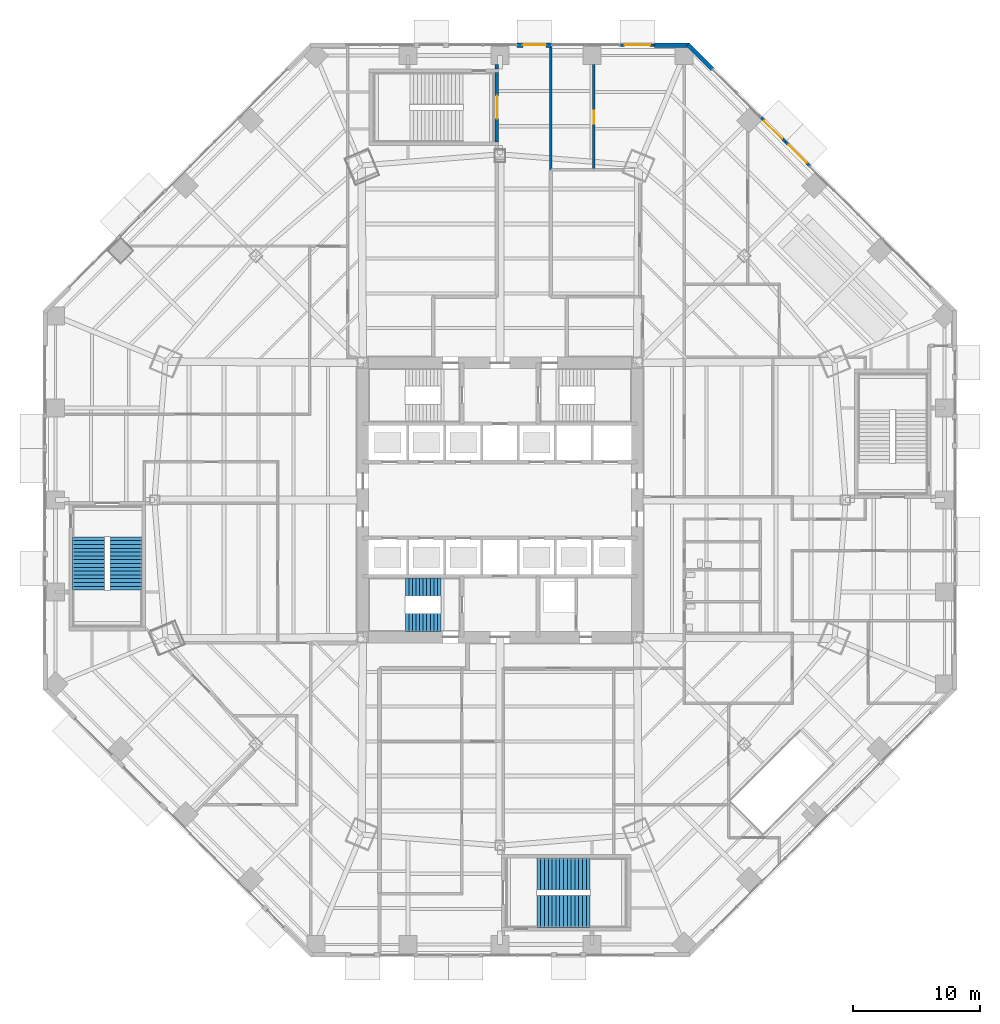
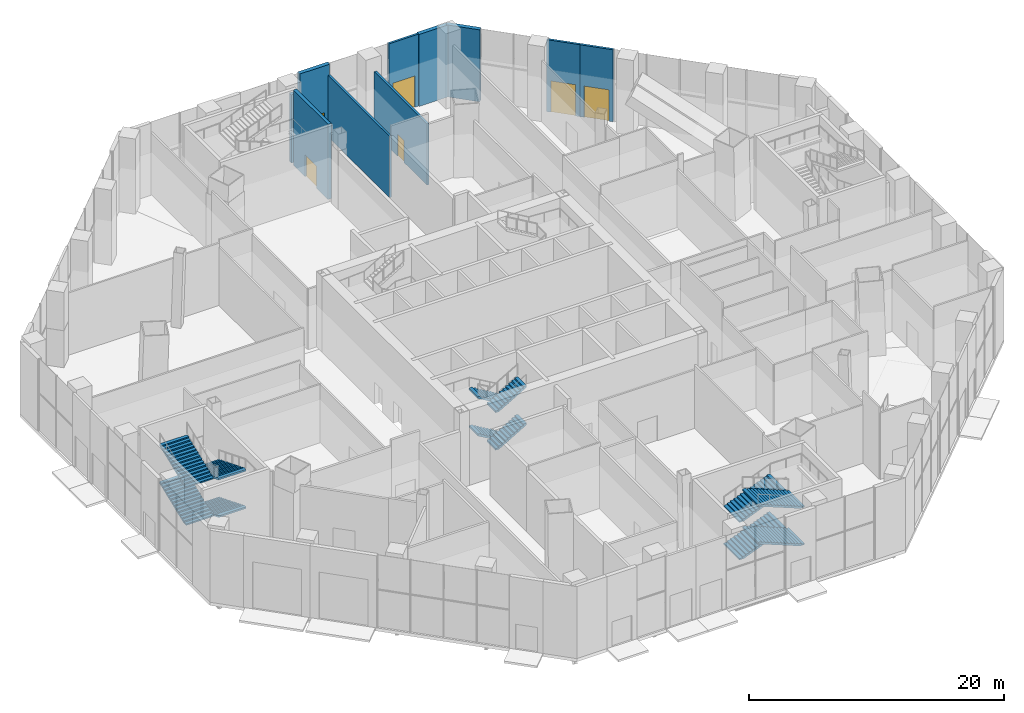
# One storey, part 26 of 35: 12 stair flights, 10 walls, 6 doors, 6 openings, 3 elements without a shape of their own.
"""IFC4 building model written with IfcOpenShell, lengths in metres."""

from ifc_helpers import new_model, si_unit, direction, frame, frame_2d, origin, place, context, subcontext, project, spatial, polyline, rectangle, outline, extrude, material, layer, layer_set, type_object, element, fill, aggregate, save


model = new_model("IFC4")

# Units and contexts
model_context = context("Model", 3, precision=1e-05, world=origin(), true_north=direction((0.0, 1.0)))
body_context = subcontext(model_context, "Body", "Model", "MODEL_VIEW")
ifc_project = project(units=[si_unit("LENGTHUNIT", "METRE"), si_unit("AREAUNIT", "SQUARE_METRE"), si_unit("VOLUMEUNIT", "CUBIC_METRE"), si_unit("PLANEANGLEUNIT", "RADIAN"), si_unit("MASSUNIT", "GRAM", prefix="KILO")], contexts=[model_context])

# Site, building, storey
site_placement = place(None, origin())
site = spatial("IfcSite", under=ifc_project, at=site_placement, CompositionType="ELEMENT")
building_placement = place(site_placement, origin())
building = spatial("IfcBuilding", under=site, at=building_placement, Name="Mashrafa Tower", CompositionType="ELEMENT")
storey_placement = place(building_placement, origin())
storey = spatial("IfcBuildingStorey", under=building, at=storey_placement, Name="L00", CompositionType="ELEMENT", Elevation=0.0)

# Wall
ifc_material_1 = material(Name="Concrete masonry unit", Category="masonry")
ifc_layer_1 = layer(ifc_material_1, 0.199951171875)
ifc_layer_set_1 = layer_set([ifc_layer_1], Name="Fire barrier wall 200 1 hr")
wall_type_1 = type_object("IfcWallType", Name="Fire barrier wall 200 1 hr", PredefinedType="PARTITIONING", material=ifc_layer_set_1)
wall_1_placement = place(storey_placement, frame((4.0, 25.9990234375, 0.0), z_axis=(0.0, 0.0, 1.0), x_axis=(0.0, 1.0, 0.0)))
element("IfcWall", 1, at=wall_1_placement, inside=storey, type_object=wall_type_1, Name="Fire wall L00-002", PredefinedType="PARTITIONING", context=body_context, shape_type="SweptSolid", body=[
    extrude(rectangle(XDim=9.65087890625, YDim=0.199951171875, at=frame_2d((4.825439453125, 0.0))), origin(), (0.0, 0.0, 1.0), 5.879150390625),
])

# Wall, opening, door
wall_2_placement = place(storey_placement, frame((7.39990234375, 26.0, 0.0), z_axis=(0.0, 0.0, 1.0), x_axis=(0.0, 1.0, 0.0)))
wall_2 = element("IfcWall", 2, at=wall_2_placement, inside=storey, type_object=wall_type_1, Name="Fire wall L00-039", PredefinedType="PARTITIONING", context=body_context, shape_type="SweptSolid", body=[
    extrude(rectangle(XDim=8.281005859375, YDim=0.199951171875, at=frame_2d((4.140625, 0.0))), origin(), (0.0, 0.0, 1.0), 5.879150390625),
])
opening_1_placement = place(wall_2_placement, frame((3.640380859375, 0.0, 0.0)))
opening_1 = element("IfcOpeningElement", 3, at=opening_1_placement, cuts=wall_2, Name="Opening 00.005", PredefinedType="OPENING", context=body_context, shape_type="SweptSolid", body=[
    extrude(rectangle(XDim=1.0, YDim=2.10009765625, at=frame_2d((0.5, 1.050048828125))), frame((0.0, 0.10986328125, 0.0), z_axis=(0.0, -1.0, 0.0), x_axis=(1.0, 0.0, 0.0)), (0.0, 0.0, 1.0), 0.219970703125),
])
ifc_material_2 = material(Name="Steel door", Category="steel")
door_type_1 = type_object("IfcDoorType", Name="Door 1000 x 2100 90 min", OperationType="USERDEFINED", PredefinedType="DOOR", material=ifc_material_2)
door_1_placement = place(opening_1_placement, origin())
door_1 = element("IfcDoor", 4, at=door_1_placement, inside=storey, type_object=door_type_1, Name="Fire Command Centre door", OperationType="SINGLE_SWING_LEFT", OverallHeight=2.10009765625, OverallWidth=1.0, PredefinedType="DOOR", context=body_context, shape_type="SweptSolid", body=[
    extrude(rectangle(XDim=1.0, YDim=2.10009765625, at=frame_2d((0.5, 1.050048828125))), frame((0.0, 0.02490234375, 0.0), z_axis=(0.0, -1.0, 0.0), x_axis=(1.0, 0.0, 0.0)), (0.0, 0.0, 1.0), 0.050048828125),
])
fill(opening_1, door_1)

ifc_material_3 = material(Name="Bronze-framed glazed screen")
ifc_layer_2 = layer(ifc_material_3, 0.199951171875)
ifc_layer_set_2 = layer_set([ifc_layer_2], Name="Glazed door screen 200")
wall_type_2 = type_object("IfcWallType", Name="Glazed door screen 200", PredefinedType="SOLIDWALL", material=ifc_layer_set_2)
wall_3_placement = place(storey_placement, frame((24.376220703125, 26.2880859375, 0.0), z_axis=(0.0, 0.0, 1.0), x_axis=(-0.707151930551, 0.707061628939, 0.0)))
wall_3 = element("IfcWall", 5, at=wall_3_placement, inside=storey, type_object=wall_type_2, Name="Glazed entrance screen L00 north-east bay 7", PredefinedType="SOLIDWALL", context=body_context, shape_type="SweptSolid", body=[
    extrude(rectangle(XDim=2.70361328125, YDim=0.199951171875, at=frame_2d((1.351806640625, 0.0))), origin(), (0.0, 0.0, 1.0), 6.89990234375),
])
opening_2_placement = place(wall_3_placement, frame((0.351806640625, 0.0, 0.0)))
opening_2 = element("IfcOpeningElement", 6, at=opening_2_placement, cuts=wall_3, Name="Opening ED1", PredefinedType="OPENING", context=body_context, shape_type="SweptSolid", body=[
    extrude(rectangle(XDim=2.0, YDim=3.0, at=frame_2d((1.0, 1.5))), frame((0.0, 0.10986328125, 0.0), z_axis=(0.0, -1.0, 0.0), x_axis=(1.0, 0.0, 0.0)), (0.0, 0.0, 1.0), 0.219970703125),
])
ifc_material_4 = material(Name="Bronze-framed glazed entrance door")
door_type_2 = type_object("IfcDoorType", Name="Entrance door pair 2000 x 3000", OperationType="DOUBLE_DOOR_SINGLE_SWING", PredefinedType="DOOR", material=ifc_material_4)
door_2_placement = place(opening_2_placement, origin())
door_2 = element("IfcDoor", 7, at=door_2_placement, inside=storey, type_object=door_type_2, Name="Exhibition entrance north-east", OperationType="SINGLE_SWING_LEFT", OverallHeight=3.0, OverallWidth=2.0, PredefinedType="DOOR", context=body_context, shape_type="SweptSolid", body=[
    extrude(rectangle(XDim=2.0, YDim=3.0, at=frame_2d((1.0, 1.5))), frame((0.0, 0.02490234375, 0.0), z_axis=(0.0, -1.0, 0.0), x_axis=(1.0, 0.0, 0.0)), (0.0, 0.0, 1.0), 0.050048828125),
])
fill(opening_2, door_2)

wall_4_placement = place(storey_placement, frame((22.46435546875, 28.19970703125, 0.0), z_axis=(0.0, 0.0, 1.0), x_axis=(-0.707061628939, 0.707151930551, 0.0)))
wall_4 = element("IfcWall", 8, at=wall_4_placement, inside=storey, type_object=wall_type_2, Name="Glazed entrance screen L00 north-east bay 8", PredefinedType="SOLIDWALL", context=body_context, shape_type="SweptSolid", body=[
    extrude(rectangle(XDim=2.70361328125, YDim=0.199951171875, at=frame_2d((1.351806640625, 0.0))), origin(), (0.0, 0.0, 1.0), 6.89990234375),
])
opening_3_placement = place(wall_4_placement, frame((0.351806640625, 0.0, 0.0)))
opening_3 = element("IfcOpeningElement", 9, at=opening_3_placement, cuts=wall_4, Name="Opening ED1", PredefinedType="OPENING", context=body_context, shape_type="SweptSolid", body=[
    extrude(rectangle(XDim=2.0, YDim=3.0, at=frame_2d((1.0, 1.5))), frame((0.0, 0.10986328125, 0.0), z_axis=(0.0, -1.0, 0.0), x_axis=(1.0, 0.0, 0.0)), (0.0, 0.0, 1.0), 0.219970703125),
])
door_3_placement = place(opening_3_placement, origin())
door_3 = element("IfcDoor", 10, at=door_3_placement, inside=storey, type_object=door_type_2, Name="Exhibition entrance north-east", OperationType="SINGLE_SWING_LEFT", OverallHeight=3.0, OverallWidth=2.0, PredefinedType="DOOR", context=body_context, shape_type="SweptSolid", body=[
    extrude(rectangle(XDim=2.0, YDim=3.0, at=frame_2d((1.0, 1.5))), frame((0.0, 0.02490234375, 0.0), z_axis=(0.0, -1.0, 0.0), x_axis=(1.0, 0.0, 0.0)), (0.0, 0.0, 1.0), 0.050048828125),
])
fill(opening_3, door_3)

wall_5_placement = place(storey_placement, frame((12.16650390625, 35.824951171875, 0.0), z_axis=(0.0, 0.0, 1.0), x_axis=(-1.0, 0.0, 0.0)))
wall_5 = element("IfcWall", 11, at=wall_5_placement, inside=storey, type_object=wall_type_2, Name="Glazed entrance screen L00 north bay 2", PredefinedType="SOLIDWALL", context=body_context, shape_type="SweptSolid", body=[
    extrude(rectangle(XDim=2.70361328125, YDim=0.199951171875, at=frame_2d((1.351806640625, 0.0))), origin(), (0.0, 0.0, 1.0), 6.89990234375),
])
opening_4_placement = place(wall_5_placement, frame((0.351806640625, 0.0, 0.0)))
opening_4 = element("IfcOpeningElement", 12, at=opening_4_placement, cuts=wall_5, Name="Opening ED1", PredefinedType="OPENING", context=body_context, shape_type="SweptSolid", body=[
    extrude(rectangle(XDim=2.0, YDim=3.0, at=frame_2d((1.0, 1.5))), frame((0.0, 0.10986328125, 0.0), z_axis=(0.0, -1.0, 0.0), x_axis=(1.0, 0.0, 0.0)), (0.0, 0.0, 1.0), 0.219970703125),
])
door_4_placement = place(opening_4_placement, origin())
door_4 = element("IfcDoor", 13, at=door_4_placement, inside=storey, type_object=door_type_2, Name="Office lobby entrance north", OperationType="SINGLE_SWING_LEFT", OverallHeight=3.0, OverallWidth=2.0, PredefinedType="DOOR", context=body_context, shape_type="SweptSolid", body=[
    extrude(rectangle(XDim=2.0, YDim=3.0, at=frame_2d((1.0, 1.5))), frame((0.0, 0.02490234375, 0.0), z_axis=(0.0, -1.0, 0.0), x_axis=(1.0, 0.0, 0.0)), (0.0, 0.0, 1.0), 0.050048828125),
])
fill(opening_4, door_4)

# Walls
ifc_material_5 = material(Name="Riyadh limestone cladding on blockwork", Category="masonry")
ifc_layer_3 = layer(ifc_material_5, 0.35009765625)
ifc_layer_set_3 = layer_set([ifc_layer_3], Name="Limestone-clad external wall 350")
wall_type_3 = type_object("IfcWallType", Name="Limestone-clad external wall 350", PredefinedType="SOLIDWALL", material=ifc_layer_set_3)
for number, where, z_axis, x_axis, name in (
    (14, (16.72900390625, 33.93505859375, 0.0), (0.0, 0.0, 1.0), (-0.707106781187, 0.707106781187, 0.0), "Limestone corner pier L00 north-east bay 11"),
    (15, (14.91162109375, 35.824951171875, 0.0), (0.0, 0.0, 1.0), (-1.0, 0.0, 0.0), "Limestone corner pier L00 north bay 1"),
):
    element("IfcWall", number, at=place(storey_placement, frame(where, z_axis=z_axis, x_axis=x_axis)), inside=storey, type_object=wall_type_3, Name=name, PredefinedType="SOLIDWALL", context=body_context, shape_type="SweptSolid", body=[
        extrude(rectangle(XDim=2.7451171875, YDim=0.35009765625, at=frame_2d((1.37255859375, 0.0))), origin(), (0.0, 0.0, 1.0), 6.89990234375),
    ])

# Wall, opening, door
wall_6_placement = place(storey_placement, frame((4.055419921875, 35.824951171875, 0.0), z_axis=(0.0, 0.0, 1.0), x_axis=(-1.0, 0.0, 0.0)))
wall_6 = element("IfcWall", 16, at=wall_6_placement, inside=storey, type_object=wall_type_3, Name="Limestone door bay L00 north bay 5", PredefinedType="SOLIDWALL", context=body_context, shape_type="SweptSolid", body=[
    extrude(rectangle(XDim=2.70361328125, YDim=0.35009765625, at=frame_2d((1.351806640625, 0.0))), origin(), (0.0, 0.0, 1.0), 6.89990234375),
])
opening_5_placement = place(wall_6_placement, frame((0.451904296875, 0.0, 0.0)))
opening_5 = element("IfcOpeningElement", 17, at=opening_5_placement, cuts=wall_6, Name="Opening ED2", PredefinedType="OPENING", context=body_context, shape_type="SweptSolid", body=[
    extrude(rectangle(XDim=1.800048828125, YDim=2.39990234375, at=frame_2d((0.89990234375, 1.199951171875))), frame((0.0, 0.18505859375, 0.0), z_axis=(0.0, -1.0, 0.0), x_axis=(1.0, 0.0, 0.0)), (0.0, 0.0, 1.0), 0.3701171875),
])
ifc_material_6 = material(Name="Steel exit door", Category="steel")
door_type_3 = type_object("IfcDoorType", Name="Exit discharge door pair 1800 x 2400", OperationType="DOUBLE_DOOR_SINGLE_SWING", PredefinedType="DOOR", material=ifc_material_6)
door_5_placement = place(opening_5_placement, frame((1.800048828125, 0.0, 0.0), z_axis=(0.0, 0.0, 1.0), x_axis=(-1.0, 0.0, 0.0)))
door_5 = element("IfcDoor", 18, at=door_5_placement, inside=storey, type_object=door_type_3, Name="Stairs S1 and S2 exit discharge north", OperationType="DOUBLE_DOOR_SINGLE_SWING", OverallHeight=2.39990234375, OverallWidth=1.800048828125, PredefinedType="DOOR", context=body_context, shape_type="SweptSolid", body=[
    extrude(rectangle(XDim=1.800048828125, YDim=2.39990234375, at=frame_2d((0.89990234375, 1.199951171875))), frame((0.0, 0.02490234375, 0.0), z_axis=(0.0, -1.0, 0.0), x_axis=(1.0, 0.0, 0.0)), (0.0, 0.0, 1.0), 0.050048828125),
])
fill(opening_5, door_5)

ifc_material_7 = material(Name="Concrete C35/45", Category="concrete")
ifc_layer_4 = layer(ifc_material_7, 0.300048828125)
ifc_layer_set_4 = layer_set([ifc_layer_4], Name="Stair core wall 300 3 hr")
wall_type_4 = type_object("IfcWallType", Name="Stair core wall 300 3 hr", PredefinedType="SOLIDWALL", material=ifc_layer_set_4)
wall_7_placement = place(storey_placement, frame((-0.25, 28.199951171875, 0.0), z_axis=(0.0, 0.0, 1.0), x_axis=(0.0, 1.0, 0.0)))
wall_7 = element("IfcWall", 19, at=wall_7_placement, inside=storey, type_object=wall_type_4, Name="Stair P2 core wall E L00", PredefinedType="SOLIDWALL", context=body_context, shape_type="SweptSolid", body=[
    extrude(rectangle(XDim=5.449951171875, YDim=0.300048828125, at=frame_2d((2.72509765625, 0.0))), origin(), (0.0, 0.0, 1.0), 7.199951171875),
])
opening_6_placement = place(wall_7_placement, frame((1.824951171875, 0.0, 0.0)))
opening_6 = element("IfcOpeningElement", 20, at=opening_6_placement, cuts=wall_7, Name="Opening 00.047", PredefinedType="OPENING", context=body_context, shape_type="SweptSolid", body=[
    extrude(rectangle(XDim=1.800048828125, YDim=2.10009765625, at=frame_2d((0.89990234375, 1.050048828125))), frame((0.0, 0.159912109375, 0.0), z_axis=(0.0, -1.0, 0.0), x_axis=(1.0, 0.0, 0.0)), (0.0, 0.0, 1.0), 0.320068359375),
])
ifc_material_8 = material(Name="Steel door", Category="steel")
door_type_4 = type_object("IfcDoorType", Name="Stair door pair 1800 x 2100 90 min", OperationType="DOUBLE_DOOR_SINGLE_SWING", PredefinedType="DOOR", material=ifc_material_8)
door_6_placement = place(opening_6_placement, origin())
door_6 = element("IfcDoor", 21, at=door_6_placement, inside=storey, type_object=door_type_4, Name="Stair P2 door L00", OperationType="DOUBLE_DOOR_SINGLE_SWING", OverallHeight=2.10009765625, OverallWidth=1.800048828125, PredefinedType="DOOR", context=body_context, shape_type="SweptSolid", body=[
    extrude(rectangle(XDim=1.800048828125, YDim=2.10009765625, at=frame_2d((0.89990234375, 1.050048828125))), frame((0.0, 0.02490234375, 0.0), z_axis=(0.0, -1.0, 0.0), x_axis=(1.0, 0.0, 0.0)), (0.0, 0.0, 1.0), 0.050048828125),
])
fill(opening_6, door_6)

# Wall
ifc_material_9 = material(Name="Concrete masonry unit", Category="masonry")
ifc_layer_5 = layer(ifc_material_9, 0.300048828125)
ifc_layer_set_5 = layer_set([ifc_layer_5], Name="Stair enclosure wall 300 2 hr")
wall_type_5 = type_object("IfcWallType", Name="Stair enclosure wall 300 2 hr", PredefinedType="PARTITIONING", material=ifc_layer_set_5)
wall_8_placement = place(storey_placement, frame((-0.25, 34.281005859375, 0.0), z_axis=(0.0, 0.0, 1.0), x_axis=(0.0, -1.0, 0.0)))
element("IfcWall", 22, at=wall_8_placement, inside=storey, type_object=wall_type_5, Name="Stair wall L00-001", PredefinedType="PARTITIONING", context=body_context, shape_type="SweptSolid", body=[
    extrude(rectangle(XDim=0.33154296875, YDim=0.300048828125, at=frame_2d((0.165771484375, 0.0))), origin(), (0.0, 0.0, 1.0), 6.534423828125),
])

# Stair, stair flights
ifc_material_10 = material(Name="Exit stair 1400")
stair_type_1 = type_object("IfcStairType", Name="Exit stair 1400", PredefinedType="HALF_TURN_STAIR", material=ifc_material_10)
stair_1_placement = place(storey_placement, origin())
stair_1 = element("IfcStair", 23, at=stair_1_placement, inside=storey, type_object=stair_type_1, Name="Stair S3 L00", PredefinedType="HALF_TURN_STAIR")
ifc_material_11 = material(Name="Concrete C32/40", Category="concrete")
stair_flight_type_1 = type_object("IfcStairFlightType", Name="Stair flight 1400", PredefinedType="STRAIGHT", material=ifc_material_11)
stair_flight_1_placement = place(storey_placement, frame((-4.64990234375, -6.85009765625, 0.0), z_axis=(0.0, 0.0, 1.0), x_axis=(-1.0, 0.0, 0.0)))
stair_flight_1 = element("IfcStairFlight", 24, at=stair_flight_1_placement, type_object=stair_flight_type_1, Name="S3 flight 1", NumberOfRisers=11, NumberOfTreads=10, PredefinedType="STRAIGHT", RiserHeight=0.163636364, TreadLength=0.28, context=body_context, shape_type="SweptSolid", body=[
    extrude(outline(polyline([(0.0, 0.0), (0.0, 0.16357421875), (0.280029296875, 0.16357421875), (0.280029296875, 0.327392578125), (0.56005859375, 0.327392578125), (0.56005859375, 0.490966796875), (0.840087890625, 0.490966796875), (0.840087890625, 0.654541015625), (1.1201171875, 0.654541015625), (1.1201171875, 0.818115234375), (1.39990234375, 0.818115234375), (1.39990234375, 0.98193359375), (1.679931640625, 0.98193359375), (1.679931640625, 1.1455078125), (1.9599609375, 1.1455078125), (1.9599609375, 1.30908203125), (2.239990234375, 1.30908203125), (2.239990234375, 1.47265625), (2.52001953125, 1.47265625), (2.52001953125, 1.636474609375), (2.800048828125, 1.636474609375), (2.800048828125, 1.800048828125), (2.800048828125, 1.462646484375), (0.297119140625, 0.0), (0.0, 0.0)])), frame((0.0, 0.699951171875, 0.0), z_axis=(0.0, -1.0, 0.0), x_axis=(1.0, 0.0, 0.0)), (0.0, 0.0, 1.0), 1.39990234375),
])
stair_flight_2_placement = place(storey_placement, frame((-7.449951171875, -9.64990234375, 1.800048828125), z_axis=(0.0, 0.0, 1.0), x_axis=(1.0, 0.0, 0.0)))
stair_flight_2 = element("IfcStairFlight", 25, at=stair_flight_2_placement, type_object=stair_flight_type_1, Name="S3 flight 2", NumberOfRisers=11, NumberOfTreads=10, PredefinedType="STRAIGHT", RiserHeight=0.163636364, TreadLength=0.28, context=body_context, shape_type="SweptSolid", body=[
    extrude(outline(polyline([(0.0, 0.0), (0.0, 0.16357421875), (0.280029296875, 0.16357421875), (0.280029296875, 0.327392578125), (0.56005859375, 0.327392578125), (0.56005859375, 0.490966796875), (0.840087890625, 0.490966796875), (0.840087890625, 0.654541015625), (1.1201171875, 0.654541015625), (1.1201171875, 0.818115234375), (1.39990234375, 0.818115234375), (1.39990234375, 0.98193359375), (1.679931640625, 0.98193359375), (1.679931640625, 1.1455078125), (1.9599609375, 1.1455078125), (1.9599609375, 1.30908203125), (2.239990234375, 1.30908203125), (2.239990234375, 1.47265625), (2.52001953125, 1.47265625), (2.52001953125, 1.636474609375), (2.800048828125, 1.636474609375), (2.800048828125, 1.800048828125), (2.800048828125, 1.462646484375), (0.297119140625, 0.0), (0.0, 0.0)])), frame((0.0, 0.699951171875, 0.0), z_axis=(0.0, -1.0, 0.0), x_axis=(1.0, 0.0, 0.0)), (0.0, 0.0, 1.0), 1.39990234375),
])
stair_flight_3_placement = place(storey_placement, frame((-4.64990234375, -6.85009765625, 3.60009765625), z_axis=(0.0, 0.0, 1.0), x_axis=(-1.0, 0.0, 0.0)))
stair_flight_3 = element("IfcStairFlight", 26, at=stair_flight_3_placement, type_object=stair_flight_type_1, Name="S3 flight 3", NumberOfRisers=11, NumberOfTreads=10, PredefinedType="STRAIGHT", RiserHeight=0.163636364, TreadLength=0.28, context=body_context, shape_type="SweptSolid", body=[
    extrude(outline(polyline([(0.0, 0.0), (0.0, 0.16357421875), (0.280029296875, 0.16357421875), (0.280029296875, 0.327392578125), (0.56005859375, 0.327392578125), (0.56005859375, 0.490966796875), (0.840087890625, 0.490966796875), (0.840087890625, 0.654541015625), (1.1201171875, 0.654541015625), (1.1201171875, 0.818115234375), (1.39990234375, 0.818115234375), (1.39990234375, 0.98193359375), (1.679931640625, 0.98193359375), (1.679931640625, 1.1455078125), (1.9599609375, 1.1455078125), (1.9599609375, 1.30908203125), (2.239990234375, 1.30908203125), (2.239990234375, 1.47265625), (2.52001953125, 1.47265625), (2.52001953125, 1.636474609375), (2.800048828125, 1.636474609375), (2.800048828125, 1.800048828125), (2.800048828125, 1.462646484375), (0.297119140625, 0.0), (0.0, 0.0)])), frame((0.0, 0.699951171875, 0.0), z_axis=(0.0, -1.0, 0.0), x_axis=(1.0, 0.0, 0.0)), (0.0, 0.0, 1.0), 1.39990234375),
])
stair_flight_4_placement = place(storey_placement, frame((-7.449951171875, -9.64990234375, 5.39990234375), z_axis=(0.0, 0.0, 1.0), x_axis=(1.0, 0.0, 0.0)))
stair_flight_4 = element("IfcStairFlight", 27, at=stair_flight_4_placement, type_object=stair_flight_type_1, Name="S3 flight 4", NumberOfRisers=11, NumberOfTreads=10, PredefinedType="STRAIGHT", RiserHeight=0.163636364, TreadLength=0.28, context=body_context, shape_type="SweptSolid", body=[
    extrude(outline(polyline([(0.0, 0.0), (0.0, 0.16357421875), (0.280029296875, 0.16357421875), (0.280029296875, 0.327392578125), (0.56005859375, 0.327392578125), (0.56005859375, 0.490966796875), (0.840087890625, 0.490966796875), (0.840087890625, 0.654541015625), (1.1201171875, 0.654541015625), (1.1201171875, 0.818115234375), (1.39990234375, 0.818115234375), (1.39990234375, 0.98193359375), (1.679931640625, 0.98193359375), (1.679931640625, 1.1455078125), (1.9599609375, 1.1455078125), (1.9599609375, 1.30908203125), (2.239990234375, 1.30908203125), (2.239990234375, 1.47265625), (2.52001953125, 1.47265625), (2.52001953125, 1.636474609375), (2.800048828125, 1.636474609375), (2.800048828125, 1.800048828125), (2.800048828125, 1.462646484375), (0.297119140625, 0.0), (0.0, 0.0)])), frame((0.0, 0.699951171875, 0.0), z_axis=(0.0, -1.0, 0.0), x_axis=(1.0, 0.0, 0.0)), (0.0, 0.0, 1.0), 1.39990234375),
])
aggregate(stair_1, [stair_flight_1, stair_flight_2, stair_flight_3, stair_flight_4])

ifc_material_12 = material(Name="Exit stair 2500")
stair_type_2 = type_object("IfcStairType", Name="Exit stair 2500", PredefinedType="HALF_TURN_STAIR", material=ifc_material_12)
stair_2_placement = place(storey_placement, origin())
stair_2 = element("IfcStair", 28, at=stair_2_placement, inside=storey, type_object=stair_type_2, Name="Stair P3 L00", PredefinedType="HALF_TURN_STAIR")
ifc_material_13 = material(Name="Concrete C32/40", Category="concrete")
stair_flight_type_2 = type_object("IfcStairFlightType", Name="Stair flight 2500", PredefinedType="STRAIGHT", material=ifc_material_13)
stair_flight_5_placement = place(storey_placement, frame((-29.449951171875, -2.89990234375, 0.0), z_axis=(0.0, 0.0, 1.0), x_axis=(0.0, -1.0, 0.0)))
stair_flight_5 = element("IfcStairFlight", 29, at=stair_flight_5_placement, type_object=stair_flight_type_2, Name="P3 flight 1", NumberOfRisers=15, NumberOfTreads=14, PredefinedType="STRAIGHT", RiserHeight=0.12, TreadLength=0.3, context=body_context, shape_type="SweptSolid", body=[
    extrude(outline(polyline([(0.0, 0.0), (0.0, 0.1201171875), (0.300048828125, 0.1201171875), (0.300048828125, 0.239990234375), (0.60009765625, 0.239990234375), (0.60009765625, 0.360107421875), (0.89990234375, 0.360107421875), (0.89990234375, 0.47998046875), (1.199951171875, 0.47998046875), (1.199951171875, 0.60009765625), (1.5, 0.60009765625), (1.5, 0.719970703125), (1.800048828125, 0.719970703125), (1.800048828125, 0.840087890625), (2.10009765625, 0.840087890625), (2.10009765625, 0.9599609375), (2.39990234375, 0.9599609375), (2.39990234375, 1.080078125), (2.699951171875, 1.080078125), (2.699951171875, 1.199951171875), (3.0, 1.199951171875), (3.0, 1.320068359375), (3.300048828125, 1.320068359375), (3.300048828125, 1.43994140625), (3.60009765625, 1.43994140625), (3.60009765625, 1.56005859375), (3.89990234375, 1.56005859375), (3.89990234375, 1.679931640625), (4.199951171875, 1.679931640625), (4.199951171875, 1.800048828125), (4.199951171875, 1.5185546875), (0.403564453125, 0.0), (0.0, 0.0)])), frame((0.0, 1.25, 0.0), z_axis=(0.0, -1.0, 0.0), x_axis=(1.0, 0.0, 0.0)), (0.0, 0.0, 1.0), 2.5),
])
stair_flight_6_placement = place(storey_placement, frame((-32.39990234375, -7.10009765625, 1.800048828125), z_axis=(0.0, 0.0, 1.0), x_axis=(0.0, 1.0, 0.0)))
stair_flight_6 = element("IfcStairFlight", 30, at=stair_flight_6_placement, type_object=stair_flight_type_2, Name="P3 flight 2", NumberOfRisers=15, NumberOfTreads=14, PredefinedType="STRAIGHT", RiserHeight=0.12, TreadLength=0.3, context=body_context, shape_type="SweptSolid", body=[
    extrude(outline(polyline([(0.0, 0.0), (0.0, 0.1201171875), (0.300048828125, 0.1201171875), (0.300048828125, 0.239990234375), (0.60009765625, 0.239990234375), (0.60009765625, 0.360107421875), (0.89990234375, 0.360107421875), (0.89990234375, 0.47998046875), (1.199951171875, 0.47998046875), (1.199951171875, 0.60009765625), (1.5, 0.60009765625), (1.5, 0.719970703125), (1.800048828125, 0.719970703125), (1.800048828125, 0.840087890625), (2.10009765625, 0.840087890625), (2.10009765625, 0.9599609375), (2.39990234375, 0.9599609375), (2.39990234375, 1.080078125), (2.699951171875, 1.080078125), (2.699951171875, 1.199951171875), (3.0, 1.199951171875), (3.0, 1.320068359375), (3.300048828125, 1.320068359375), (3.300048828125, 1.43994140625), (3.60009765625, 1.43994140625), (3.60009765625, 1.56005859375), (3.89990234375, 1.56005859375), (3.89990234375, 1.679931640625), (4.199951171875, 1.679931640625), (4.199951171875, 1.800048828125), (4.199951171875, 1.5185546875), (0.403564453125, 0.0), (0.0, 0.0)])), frame((0.0, 1.25, 0.0), z_axis=(0.0, -1.0, 0.0), x_axis=(1.0, 0.0, 0.0)), (0.0, 0.0, 1.0), 2.5),
])
stair_flight_7_placement = place(storey_placement, frame((-29.449951171875, -2.89990234375, 3.60009765625), z_axis=(0.0, 0.0, 1.0), x_axis=(0.0, -1.0, 0.0)))
stair_flight_7 = element("IfcStairFlight", 31, at=stair_flight_7_placement, type_object=stair_flight_type_2, Name="P3 flight 3", NumberOfRisers=15, NumberOfTreads=14, PredefinedType="STRAIGHT", RiserHeight=0.12, TreadLength=0.3, context=body_context, shape_type="SweptSolid", body=[
    extrude(outline(polyline([(0.0, 0.0), (0.0, 0.1201171875), (0.300048828125, 0.1201171875), (0.300048828125, 0.239990234375), (0.60009765625, 0.239990234375), (0.60009765625, 0.360107421875), (0.89990234375, 0.360107421875), (0.89990234375, 0.47998046875), (1.199951171875, 0.47998046875), (1.199951171875, 0.60009765625), (1.5, 0.60009765625), (1.5, 0.719970703125), (1.800048828125, 0.719970703125), (1.800048828125, 0.840087890625), (2.10009765625, 0.840087890625), (2.10009765625, 0.9599609375), (2.39990234375, 0.9599609375), (2.39990234375, 1.080078125), (2.699951171875, 1.080078125), (2.699951171875, 1.199951171875), (3.0, 1.199951171875), (3.0, 1.320068359375), (3.300048828125, 1.320068359375), (3.300048828125, 1.43994140625), (3.60009765625, 1.43994140625), (3.60009765625, 1.56005859375), (3.89990234375, 1.56005859375), (3.89990234375, 1.679931640625), (4.199951171875, 1.679931640625), (4.199951171875, 1.800048828125), (4.199951171875, 1.5185546875), (0.403564453125, 0.0), (0.0, 0.0)])), frame((0.0, 1.25, 0.0), z_axis=(0.0, -1.0, 0.0), x_axis=(1.0, 0.0, 0.0)), (0.0, 0.0, 1.0), 2.5),
])
stair_flight_8_placement = place(storey_placement, frame((-32.39990234375, -7.10009765625, 5.39990234375), z_axis=(0.0, 0.0, 1.0), x_axis=(0.0, 1.0, 0.0)))
stair_flight_8 = element("IfcStairFlight", 32, at=stair_flight_8_placement, type_object=stair_flight_type_2, Name="P3 flight 4", NumberOfRisers=15, NumberOfTreads=14, PredefinedType="STRAIGHT", RiserHeight=0.12, TreadLength=0.3, context=body_context, shape_type="SweptSolid", body=[
    extrude(outline(polyline([(0.0, 0.0), (0.0, 0.1201171875), (0.300048828125, 0.1201171875), (0.300048828125, 0.239990234375), (0.60009765625, 0.239990234375), (0.60009765625, 0.360107421875), (0.89990234375, 0.360107421875), (0.89990234375, 0.47998046875), (1.199951171875, 0.47998046875), (1.199951171875, 0.60009765625), (1.5, 0.60009765625), (1.5, 0.719970703125), (1.800048828125, 0.719970703125), (1.800048828125, 0.840087890625), (2.10009765625, 0.840087890625), (2.10009765625, 0.9599609375), (2.39990234375, 0.9599609375), (2.39990234375, 1.080078125), (2.699951171875, 1.080078125), (2.699951171875, 1.199951171875), (3.0, 1.199951171875), (3.0, 1.320068359375), (3.300048828125, 1.320068359375), (3.300048828125, 1.43994140625), (3.60009765625, 1.43994140625), (3.60009765625, 1.56005859375), (3.89990234375, 1.56005859375), (3.89990234375, 1.679931640625), (4.199951171875, 1.679931640625), (4.199951171875, 1.800048828125), (4.199951171875, 1.5185546875), (0.403564453125, 0.0), (0.0, 0.0)])), frame((0.0, 1.25, 0.0), z_axis=(0.0, -1.0, 0.0), x_axis=(1.0, 0.0, 0.0)), (0.0, 0.0, 1.0), 2.5),
])
aggregate(stair_2, [stair_flight_5, stair_flight_6, stair_flight_7, stair_flight_8])

stair_3_placement = place(storey_placement, origin())
stair_3 = element("IfcStair", 33, at=stair_3_placement, inside=storey, type_object=stair_type_2, Name="Stair P4 L00", PredefinedType="HALF_TURN_STAIR")
stair_flight_9_placement = place(storey_placement, frame((2.89990234375, -29.449951171875, 0.0), z_axis=(0.0, 0.0, 1.0), x_axis=(1.0, 0.0, 0.0)))
stair_flight_9 = element("IfcStairFlight", 34, at=stair_flight_9_placement, type_object=stair_flight_type_2, Name="P4 flight 1", NumberOfRisers=15, NumberOfTreads=14, PredefinedType="STRAIGHT", RiserHeight=0.12, TreadLength=0.3, context=body_context, shape_type="SweptSolid", body=[
    extrude(outline(polyline([(0.0, 0.0), (0.0, 0.1201171875), (0.300048828125, 0.1201171875), (0.300048828125, 0.239990234375), (0.60009765625, 0.239990234375), (0.60009765625, 0.360107421875), (0.89990234375, 0.360107421875), (0.89990234375, 0.47998046875), (1.199951171875, 0.47998046875), (1.199951171875, 0.60009765625), (1.5, 0.60009765625), (1.5, 0.719970703125), (1.800048828125, 0.719970703125), (1.800048828125, 0.840087890625), (2.10009765625, 0.840087890625), (2.10009765625, 0.9599609375), (2.39990234375, 0.9599609375), (2.39990234375, 1.080078125), (2.699951171875, 1.080078125), (2.699951171875, 1.199951171875), (3.0, 1.199951171875), (3.0, 1.320068359375), (3.300048828125, 1.320068359375), (3.300048828125, 1.43994140625), (3.60009765625, 1.43994140625), (3.60009765625, 1.56005859375), (3.89990234375, 1.56005859375), (3.89990234375, 1.679931640625), (4.199951171875, 1.679931640625), (4.199951171875, 1.800048828125), (4.199951171875, 1.5185546875), (0.403564453125, 0.0), (0.0, 0.0)])), frame((0.0, 1.25, 0.0), z_axis=(0.0, -1.0, 0.0), x_axis=(1.0, 0.0, 0.0)), (0.0, 0.0, 1.0), 2.5),
])
stair_flight_10_placement = place(storey_placement, frame((7.10009765625, -32.39990234375, 1.800048828125), z_axis=(0.0, 0.0, 1.0), x_axis=(-1.0, 0.0, 0.0)))
stair_flight_10 = element("IfcStairFlight", 35, at=stair_flight_10_placement, type_object=stair_flight_type_2, Name="P4 flight 2", NumberOfRisers=15, NumberOfTreads=14, PredefinedType="STRAIGHT", RiserHeight=0.12, TreadLength=0.3, context=body_context, shape_type="SweptSolid", body=[
    extrude(outline(polyline([(0.0, 0.0), (0.0, 0.1201171875), (0.300048828125, 0.1201171875), (0.300048828125, 0.239990234375), (0.60009765625, 0.239990234375), (0.60009765625, 0.360107421875), (0.89990234375, 0.360107421875), (0.89990234375, 0.47998046875), (1.199951171875, 0.47998046875), (1.199951171875, 0.60009765625), (1.5, 0.60009765625), (1.5, 0.719970703125), (1.800048828125, 0.719970703125), (1.800048828125, 0.840087890625), (2.10009765625, 0.840087890625), (2.10009765625, 0.9599609375), (2.39990234375, 0.9599609375), (2.39990234375, 1.080078125), (2.699951171875, 1.080078125), (2.699951171875, 1.199951171875), (3.0, 1.199951171875), (3.0, 1.320068359375), (3.300048828125, 1.320068359375), (3.300048828125, 1.43994140625), (3.60009765625, 1.43994140625), (3.60009765625, 1.56005859375), (3.89990234375, 1.56005859375), (3.89990234375, 1.679931640625), (4.199951171875, 1.679931640625), (4.199951171875, 1.800048828125), (4.199951171875, 1.5185546875), (0.403564453125, 0.0), (0.0, 0.0)])), frame((0.0, 1.25, 0.0), z_axis=(0.0, -1.0, 0.0), x_axis=(1.0, 0.0, 0.0)), (0.0, 0.0, 1.0), 2.5),
])
stair_flight_11_placement = place(storey_placement, frame((2.89990234375, -29.449951171875, 3.60009765625), z_axis=(0.0, 0.0, 1.0), x_axis=(1.0, 0.0, 0.0)))
stair_flight_11 = element("IfcStairFlight", 36, at=stair_flight_11_placement, type_object=stair_flight_type_2, Name="P4 flight 3", NumberOfRisers=15, NumberOfTreads=14, PredefinedType="STRAIGHT", RiserHeight=0.12, TreadLength=0.3, context=body_context, shape_type="SweptSolid", body=[
    extrude(outline(polyline([(0.0, 0.0), (0.0, 0.1201171875), (0.300048828125, 0.1201171875), (0.300048828125, 0.239990234375), (0.60009765625, 0.239990234375), (0.60009765625, 0.360107421875), (0.89990234375, 0.360107421875), (0.89990234375, 0.47998046875), (1.199951171875, 0.47998046875), (1.199951171875, 0.60009765625), (1.5, 0.60009765625), (1.5, 0.719970703125), (1.800048828125, 0.719970703125), (1.800048828125, 0.840087890625), (2.10009765625, 0.840087890625), (2.10009765625, 0.9599609375), (2.39990234375, 0.9599609375), (2.39990234375, 1.080078125), (2.699951171875, 1.080078125), (2.699951171875, 1.199951171875), (3.0, 1.199951171875), (3.0, 1.320068359375), (3.300048828125, 1.320068359375), (3.300048828125, 1.43994140625), (3.60009765625, 1.43994140625), (3.60009765625, 1.56005859375), (3.89990234375, 1.56005859375), (3.89990234375, 1.679931640625), (4.199951171875, 1.679931640625), (4.199951171875, 1.800048828125), (4.199951171875, 1.5185546875), (0.403564453125, 0.0), (0.0, 0.0)])), frame((0.0, 1.25, 0.0), z_axis=(0.0, -1.0, 0.0), x_axis=(1.0, 0.0, 0.0)), (0.0, 0.0, 1.0), 2.5),
])
stair_flight_12_placement = place(storey_placement, frame((7.10009765625, -32.39990234375, 5.39990234375), z_axis=(0.0, 0.0, 1.0), x_axis=(-1.0, 0.0, 0.0)))
stair_flight_12 = element("IfcStairFlight", 37, at=stair_flight_12_placement, type_object=stair_flight_type_2, Name="P4 flight 4", NumberOfRisers=15, NumberOfTreads=14, PredefinedType="STRAIGHT", RiserHeight=0.12, TreadLength=0.3, context=body_context, shape_type="SweptSolid", body=[
    extrude(outline(polyline([(0.0, 0.0), (0.0, 0.1201171875), (0.300048828125, 0.1201171875), (0.300048828125, 0.239990234375), (0.60009765625, 0.239990234375), (0.60009765625, 0.360107421875), (0.89990234375, 0.360107421875), (0.89990234375, 0.47998046875), (1.199951171875, 0.47998046875), (1.199951171875, 0.60009765625), (1.5, 0.60009765625), (1.5, 0.719970703125), (1.800048828125, 0.719970703125), (1.800048828125, 0.840087890625), (2.10009765625, 0.840087890625), (2.10009765625, 0.9599609375), (2.39990234375, 0.9599609375), (2.39990234375, 1.080078125), (2.699951171875, 1.080078125), (2.699951171875, 1.199951171875), (3.0, 1.199951171875), (3.0, 1.320068359375), (3.300048828125, 1.320068359375), (3.300048828125, 1.43994140625), (3.60009765625, 1.43994140625), (3.60009765625, 1.56005859375), (3.89990234375, 1.56005859375), (3.89990234375, 1.679931640625), (4.199951171875, 1.679931640625), (4.199951171875, 1.800048828125), (4.199951171875, 1.5185546875), (0.403564453125, 0.0), (0.0, 0.0)])), frame((0.0, 1.25, 0.0), z_axis=(0.0, -1.0, 0.0), x_axis=(1.0, 0.0, 0.0)), (0.0, 0.0, 1.0), 2.5),
])
aggregate(stair_3, [stair_flight_9, stair_flight_10, stair_flight_11, stair_flight_12])

save(model, "model.ifc")
